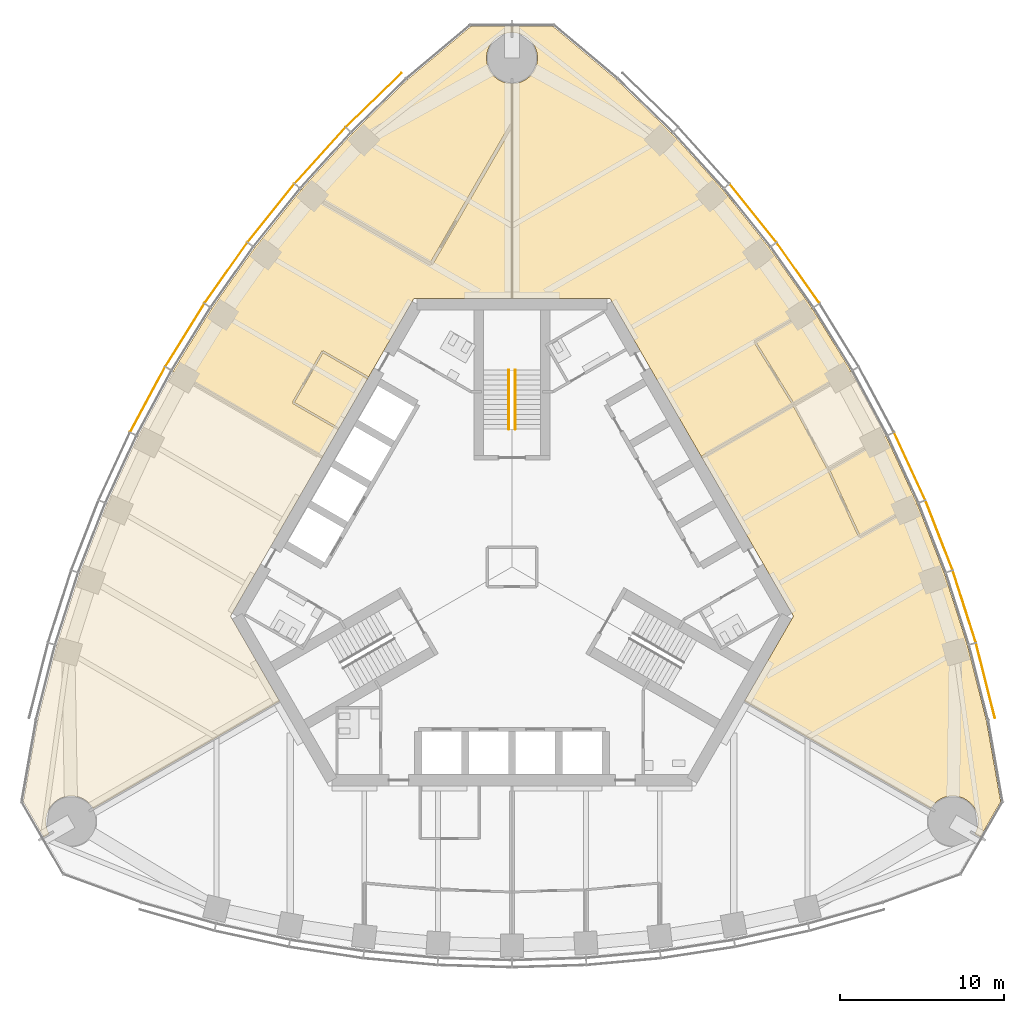
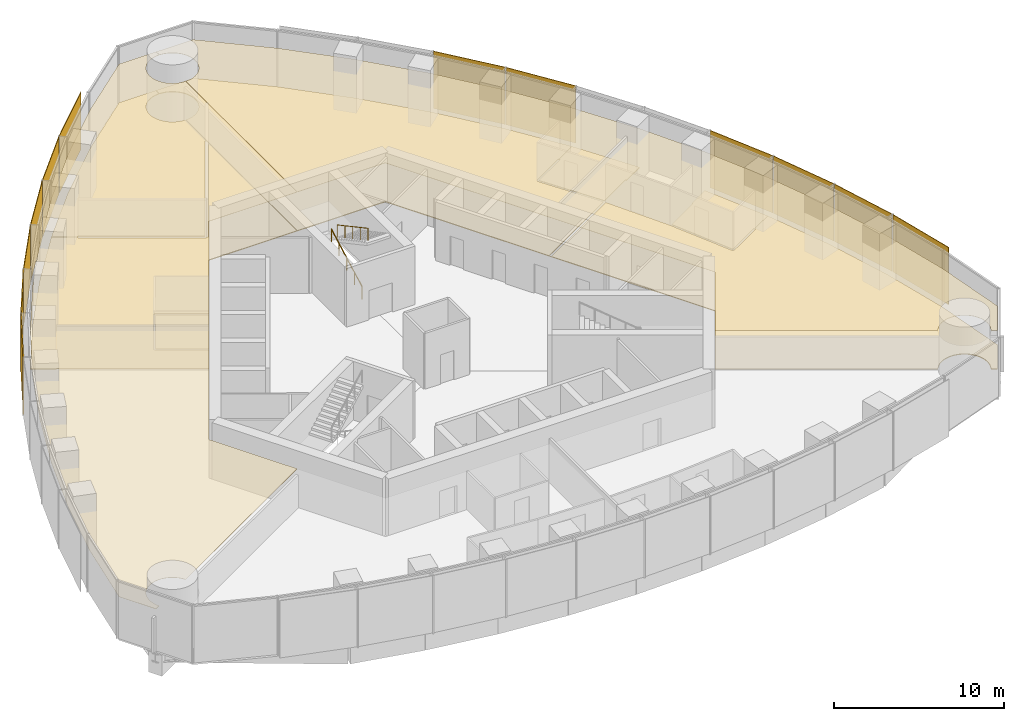
# One storey, part 12 of 15: 12 shading devices, 9 coverings, 2 railings.
"""IFC4 building model written with IfcOpenShell, lengths in metres."""

from ifc_helpers import new_model, si_unit, direction, frame, origin, origin_2d, place, context, subcontext, project, spatial, polyline, rectangle, circle, outline, extrude, material, layer, layer_set, type_object, element, save


model = new_model("IFC4")

# Units and contexts
model_context = context("Model", 3, precision=1e-05, world=origin(), true_north=direction((0.0, 1.0)))
body_context = subcontext(model_context, "Body", "Model", "MODEL_VIEW")
ifc_project = project(units=[si_unit("LENGTHUNIT", "METRE"), si_unit("AREAUNIT", "SQUARE_METRE"), si_unit("VOLUMEUNIT", "CUBIC_METRE"), si_unit("PLANEANGLEUNIT", "RADIAN"), si_unit("MASSUNIT", "GRAM", prefix="KILO")], contexts=[model_context])

# Site, building, storey
site_placement = place(None, origin())
site = spatial("IfcSite", under=ifc_project, at=site_placement, CompositionType="ELEMENT")
building_placement = place(site_placement, origin())
building = spatial("IfcBuilding", under=site, at=building_placement, Name="Trefoil Bronze Tower", CompositionType="ELEMENT")
storey_placement = place(building_placement, frame((0.0, 0.0, 288.89990234375)))
storey = spatial("IfcBuildingStorey", under=building, at=storey_placement, Name="L66", CompositionType="ELEMENT", Elevation=288.89990234375)

# Shading devices
ifc_material_1 = material(Name="Perforated bronze sheet", Category="bronze")
ifc_layer_1 = layer(ifc_material_1, 0.0400390625)
ifc_layer_set_1 = layer_set([ifc_layer_1], Name="Bronze solar screen panel")
shading_device_type = type_object("IfcShadingDeviceType", Name="Bronze solar screen panel", PredefinedType="SHUTTER", material=ifc_layer_set_1)
shading_device_1_placement = place(storey_placement, frame((28.843994140625, -6.927490234375, 0.050048828125), z_axis=(0.0, 0.0, 1.0), x_axis=(-0.244879561333, 0.969553505713, 0.0)))
element("IfcShadingDevice", 1, at=shading_device_1_placement, inside=storey, type_object=shading_device_type, Name="Solar screen CW-A L66 F2 bay 1", PredefinedType="SHUTTER", context=body_context, shape_type="SweptSolid", body=[
    extrude(rectangle(XDim=4.697509765625, YDim=0.0400390625, at=origin_2d()), origin(), (0.0, 0.0, 1.0), 4.10009765625),
])
shading_device_2_placement = place(storey_placement, frame((27.55322265625, -2.410888671875, 0.050048828125), z_axis=(0.0, 0.0, 1.0), x_axis=(-0.305187864214, 0.952292165009, 0.0)))
element("IfcShadingDevice", 2, at=shading_device_2_placement, inside=storey, type_object=shading_device_type, Name="Solar screen CW-A L66 F2 bay 2", PredefinedType="SHUTTER", context=body_context, shape_type="SweptSolid", body=[
    extrude(rectangle(XDim=4.574462890625, YDim=0.0400390625, at=origin_2d()), origin(), (0.0, 0.0, 1.0), 4.10009765625),
])
shading_device_3_placement = place(storey_placement, frame((26.0126953125, 1.93359375, 0.050048828125), z_axis=(0.0, 0.0, 1.0), x_axis=(-0.363198578387, 0.931711754062, 0.0)))
element("IfcShadingDevice", 3, at=shading_device_3_placement, inside=storey, type_object=shading_device_type, Name="Solar screen CW-A L66 F2 bay 3", PredefinedType="SHUTTER", context=body_context, shape_type="SweptSolid", body=[
    extrude(rectangle(XDim=4.5224609375, YDim=0.0400390625, at=origin_2d()), origin(), (0.0, 0.0, 1.0), 4.10009765625),
])
for number, where, z_axis, x_axis, name in (
    (4, (24.2255859375, 6.135986328125, 0.050048828125), (0.0, 0.0, 1.0), (-0.419309148468, 0.907843509649, 0.0), "Solar screen CW-A L66 F2 bay 4"),
    (5, (17.4267578125, 17.912109375, 0.050048828125), (0.0, 0.0, 1.0), (-0.576560967783, 0.817054129437, 0.0), "Solar screen CW-A L66 F2 bay 7"),
):
    element("IfcShadingDevice", number, at=place(storey_placement, frame(where, z_axis=z_axis, x_axis=x_axis)), inside=storey, type_object=shading_device_type, Name=name, PredefinedType="SHUTTER", context=body_context, shape_type="SweptSolid", body=[
        extrude(rectangle(XDim=4.48876953125, YDim=0.0400390625, at=origin_2d()), origin(), (0.0, 0.0, 1.0), 4.10009765625),
    ])
shading_device_4_placement = place(storey_placement, frame((14.680908203125, 21.560791015625, 0.050048828125), z_axis=(0.0, 0.0, 1.0), x_axis=(-0.625286758829, 0.780395072533, 0.0)))
element("IfcShadingDevice", 6, at=shading_device_4_placement, inside=storey, type_object=shading_device_type, Name="Solar screen CW-A L66 F2 bay 8", PredefinedType="SHUTTER", context=body_context, shape_type="SweptSolid", body=[
    extrude(rectangle(XDim=4.5224609375, YDim=0.0400390625, at=origin_2d()), origin(), (0.0, 0.0, 1.0), 4.10009765625),
])
shading_device_5_placement = place(storey_placement, frame((-8.42236328125, 28.443359375, 0.050048828125), z_axis=(0.0, 0.0, 1.0), x_axis=(-0.71721818561, -0.696848673839, 0.0)))
element("IfcShadingDevice", 7, at=shading_device_5_placement, inside=storey, type_object=shading_device_type, Name="Solar screen CW-A L66 F3 bay 1", PredefinedType="SHUTTER", context=body_context, shape_type="SweptSolid", body=[
    extrude(rectangle(XDim=4.697509765625, YDim=0.0400390625, at=origin_2d()), origin(), (0.0, 0.0, 1.0), 4.10009765625),
])
shading_device_6_placement = place(storey_placement, frame((-11.688720703125, 25.067138671875, 0.050048828125), z_axis=(0.0, 0.0, 1.0), x_axis=(-0.672115274615, -0.74044652584, 0.0)))
element("IfcShadingDevice", 8, at=shading_device_6_placement, inside=storey, type_object=shading_device_type, Name="Solar screen CW-A L66 F3 bay 2", PredefinedType="SHUTTER", context=body_context, shape_type="SweptSolid", body=[
    extrude(rectangle(XDim=4.574462890625, YDim=0.0400390625, at=origin_2d()), origin(), (0.0, 0.0, 1.0), 4.10009765625),
])
shading_device_7_placement = place(storey_placement, frame((-14.680908203125, 21.560791015625, 0.050048828125), z_axis=(0.0, 0.0, 1.0), x_axis=(-0.625286758829, -0.780395072533, 0.0)))
element("IfcShadingDevice", 9, at=shading_device_7_placement, inside=storey, type_object=shading_device_type, Name="Solar screen CW-A L66 F3 bay 3", PredefinedType="SHUTTER", context=body_context, shape_type="SweptSolid", body=[
    extrude(rectangle(XDim=4.5224609375, YDim=0.0400390625, at=origin_2d()), origin(), (0.0, 0.0, 1.0), 4.10009765625),
])
shading_device_8_placement = place(storey_placement, frame((-17.4267578125, 17.912109375, 0.050048828125), z_axis=(0.0, 0.0, 1.0), x_axis=(-0.576560967783, -0.817054129437, 0.0)))
element("IfcShadingDevice", 10, at=shading_device_8_placement, inside=storey, type_object=shading_device_type, Name="Solar screen CW-A L66 F3 bay 4", PredefinedType="SHUTTER", context=body_context, shape_type="SweptSolid", body=[
    extrude(rectangle(XDim=4.48876953125, YDim=0.0400390625, at=origin_2d()), origin(), (0.0, 0.0, 1.0), 4.10009765625),
])
for number, where, z_axis, x_axis, name in (
    (11, (-19.931396484375, 14.124267578125, 0.050048828125), (0.0, 0.0, 1.0), (-0.525979532701, -0.850497225851, 0.0), "Solar screen CW-A L66 F3 bay 5"),
    (12, (-22.19775390625, 10.198974609375, 0.050048828125), (0.0, 0.0, 1.0), (-0.473562437085, -0.880760250115, 0.0), "Solar screen CW-A L66 F3 bay 6"),
):
    element("IfcShadingDevice", number, at=place(storey_placement, frame(where, z_axis=z_axis, x_axis=x_axis)), inside=storey, type_object=shading_device_type, Name=name, PredefinedType="SHUTTER", context=body_context, shape_type="SweptSolid", body=[
        extrude(rectangle(XDim=4.47216796875, YDim=0.0400390625, at=origin_2d()), origin(), (0.0, 0.0, 1.0), 4.10009765625),
    ])

# Railings
ifc_material_2 = material(Name="Steel handrail", Category="steel")
railing_type = type_object("IfcRailingType", Name="Handrail 900", PredefinedType="HANDRAIL", material=ifc_material_2)
railing_1_placement = place(storey_placement, frame((-0.199951171875, 8.389892578125, 0.16162109375)))
element("IfcRailing", 13, at=railing_1_placement, inside=storey, type_object=railing_type, Name="Handrail ST2 flight 1 L66", PredefinedType="HANDRAIL", context=body_context, shape_type="SweptSolid", body=[
    extrude(circle(Radius=0.02392578125, at=origin_2d()), frame((0.0, 0.0, 0.8759765625), z_axis=(0.0, 0.880474934443, 0.474092701714), x_axis=(-1.0, 0.0, 0.0)), (0.0, 0.0, 1.0), 4.0888671875),
    extrude(circle(Radius=0.02099609375, at=origin_2d()), origin(), (0.0, 0.0, 1.0), 0.851806640625),
    extrude(circle(Radius=0.02099609375, at=origin_2d()), frame((0.0, 0.89990234375, 0.484619140625)), (0.0, 0.0, 1.0), 0.851806640625),
    extrude(circle(Radius=0.02099609375, at=origin_2d()), frame((0.0, 1.800048828125, 0.96923828125)), (0.0, 0.0, 1.0), 0.851806640625),
    extrude(circle(Radius=0.02099609375, at=origin_2d()), frame((0.0, 2.7001953125, 1.453857421875)), (0.0, 0.0, 1.0), 0.851806640625),
    extrude(circle(Radius=0.02099609375, at=origin_2d()), frame((0.0, 3.60009765625, 1.9384765625)), (0.0, 0.0, 1.0), 0.851806640625),
])
railing_2_placement = place(storey_placement, frame((0.199951171875, 11.989990234375, 2.26171875)))
element("IfcRailing", 14, at=railing_2_placement, inside=storey, type_object=railing_type, Name="Handrail ST2 flight 2 L66", PredefinedType="HANDRAIL", context=body_context, shape_type="SweptSolid", body=[
    extrude(circle(Radius=0.02392578125, at=origin_2d()), frame((0.0, 0.0, 0.8759765625), z_axis=(0.0, -0.880474934443, 0.474092701714), x_axis=(1.0, 0.0, 0.0)), (0.0, 0.0, 1.0), 4.0888671875),
    extrude(circle(Radius=0.02099609375, at=origin_2d()), origin(), (0.0, 0.0, 1.0), 0.851806640625),
    extrude(circle(Radius=0.02099609375, at=origin_2d()), frame((0.0, -0.89990234375, 0.484619140625)), (0.0, 0.0, 1.0), 0.851806640625),
    extrude(circle(Radius=0.02099609375, at=origin_2d()), frame((0.0, -1.800048828125, 0.96923828125)), (0.0, 0.0, 1.0), 0.851806640625),
    extrude(circle(Radius=0.02099609375, at=origin_2d()), frame((0.0, -2.7001953125, 1.453857421875)), (0.0, 0.0, 1.0), 0.851806640625),
    extrude(circle(Radius=0.02099609375, at=origin_2d()), frame((0.0, -3.60009765625, 1.9384765625)), (0.0, 0.0, 1.0), 0.851806640625),
])

# Coverings
ifc_material_3 = material(Name="Acoustic ceiling panels", Category="mineral fibre")
ifc_layer_2 = layer(ifc_material_3, 0.02001953125)
ifc_layer_set_2 = layer_set([ifc_layer_2], Name="Office ceiling 20")
covering_type_1 = type_object("IfcCoveringType", Name="Office ceiling 20", PredefinedType="CEILING", material=ifc_layer_set_2)
covering_1_placement = place(storey_placement, frame((0.0, 0.0, 2.900146484375)))
element("IfcCovering", 15, at=covering_1_placement, inside=storey, type_object=covering_type_1, Name="Ceiling L66 Open-plan office F2", PredefinedType="CEILING", context=body_context, shape_type="SweptSolid", body=[
    extrude(outline(polyline([(9.741455078125, 26.408935546875), (12.836181640625, 22.99951171875), (15.682861328125, 19.44677734375), (18.2880859375, 15.7548828125), (20.656005859375, 11.92578125), (22.7880859375, 7.960693359375), (24.682861328125, 3.8583984375), (26.336181640625, -0.38330078125), (27.741455078125, -4.76806640625), (28.899169921875, -9.3515625), (29.770263671875, -14.291748046875), (28.522216796875, -16.453125), (28.19482421875, -16.26416015625), (28.2138671875, -16.230712890625), (28.248046875, -16.16259765625), (28.27880859375, -16.09326171875), (28.30615234375, -16.022216796875), (28.330078125, -15.949951171875), (28.350341796875, -15.876708984375), (28.366943359375, -15.802490234375), (28.3798828125, -15.727294921875), (28.389404296875, -15.65185546875), (28.39501953125, -15.576171875), (28.396728515625, -15.5), (28.39501953125, -15.423828125), (28.389404296875, -15.34814453125), (28.3798828125, -15.272705078125), (28.366943359375, -15.197509765625), (28.350341796875, -15.123291015625), (28.330078125, -15.050048828125), (28.30615234375, -14.977783203125), (28.27880859375, -14.90673828125), (28.248046875, -14.83740234375), (28.2138671875, -14.769287109375), (28.17626953125, -14.703125), (28.135498046875, -14.638916015625), (28.091796875, -14.57666015625), (28.044921875, -14.5166015625), (27.995361328125, -14.458984375), (27.94287109375, -14.404052734375), (27.8876953125, -14.3515625), (27.830078125, -14.3017578125), (27.77001953125, -14.2548828125), (27.7080078125, -14.211181640625), (27.6435546875, -14.17041015625), (27.577392578125, -14.133056640625), (27.509521484375, -14.098876953125), (27.43994140625, -14.068115234375), (27.368896484375, -14.04052734375), (27.296630859375, -14.0166015625), (27.223388671875, -13.99658203125), (27.149169921875, -13.979736328125), (27.07421875, -13.966796875), (26.998779296875, -13.95751953125), (26.9228515625, -13.951904296875), (26.8466796875, -13.949951171875), (26.770751953125, -13.951904296875), (26.69482421875, -13.95751953125), (26.619384765625, -13.966796875), (26.54443359375, -13.979736328125), (26.47021484375, -13.99658203125), (26.396728515625, -14.0166015625), (26.32470703125, -14.04052734375), (26.253662109375, -14.068115234375), (26.18408203125, -14.098876953125), (26.1162109375, -14.133056640625), (26.0498046875, -14.17041015625), (25.985595703125, -14.211181640625), (25.923583984375, -14.2548828125), (25.863525390625, -14.3017578125), (25.805908203125, -14.3515625), (25.750732421875, -14.404052734375), (25.6982421875, -14.458984375), (25.648681640625, -14.5166015625), (25.601806640625, -14.57666015625), (25.55810546875, -14.638916015625), (25.51025390625, -14.715576171875), (14.16259765625, -8.169677734375), (17.147216796875, -3.0), (5.9755859375, 16.35009765625), (0.006103515625, 16.35009765625), (0.010986328125, 29.4501953125), (0.076171875, 29.451904296875), (0.15185546875, 29.45751953125), (0.227294921875, 29.466796875), (0.302490234375, 29.479736328125), (0.376708984375, 29.49658203125), (0.449951171875, 29.5166015625), (0.522216796875, 29.54052734375), (0.59326171875, 29.568115234375), (0.66259765625, 29.598876953125), (0.730712890625, 29.633056640625), (0.796875, 29.67041015625), (0.861083984375, 29.711181640625), (0.92333984375, 29.7548828125), (0.9833984375, 29.8017578125), (1.041015625, 29.8515625), (1.095947265625, 29.904052734375), (1.1484375, 29.958984375), (1.1982421875, 30.0166015625), (1.2451171875, 30.07666015625), (1.288818359375, 30.138916015625), (1.32958984375, 30.203125), (1.366943359375, 30.269287109375), (1.401123046875, 30.33740234375), (1.431884765625, 30.40673828125), (1.45947265625, 30.477783203125), (1.4833984375, 30.550048828125), (1.50341796875, 30.623291015625), (1.520263671875, 30.697509765625), (1.533203125, 30.772705078125), (1.54248046875, 30.84814453125), (1.548095703125, 30.923828125), (1.550048828125, 31.0), (1.548095703125, 31.076171875), (1.54248046875, 31.15185546875), (1.533203125, 31.227294921875), (1.520263671875, 31.302490234375), (1.50341796875, 31.376708984375), (1.4833984375, 31.449951171875), (1.45947265625, 31.522216796875), (1.431884765625, 31.59326171875), (1.401123046875, 31.66259765625), (1.366943359375, 31.730712890625), (1.32958984375, 31.796875), (1.288818359375, 31.861083984375), (1.2451171875, 31.92333984375), (1.1982421875, 31.9833984375), (1.1484375, 32.041015625), (1.095947265625, 32.095947265625), (1.041015625, 32.1484375), (0.9833984375, 32.1982421875), (0.92333984375, 32.2451171875), (0.861083984375, 32.288818359375), (0.796875, 32.32958984375), (0.730712890625, 32.366943359375), (0.66259765625, 32.401123046875), (0.59326171875, 32.431884765625), (0.522216796875, 32.45947265625), (0.449951171875, 32.4833984375), (0.376708984375, 32.50341796875), (0.302490234375, 32.520263671875), (0.227294921875, 32.533203125), (0.15185546875, 32.54248046875), (0.076171875, 32.548095703125), (0.01220703125, 32.5498046875), (0.01220703125, 32.927490234375), (2.508056640625, 32.927490234375), (6.350830078125, 29.703125), (9.741455078125, 26.408935546875)])), origin(), (0.0, 0.0, 1.0), 0.02001953125),
])
covering_2_placement = place(storey_placement, frame((0.0, 0.0, 2.900146484375)))
element("IfcCovering", 16, at=covering_2_placement, inside=storey, type_object=covering_type_1, Name="Ceiling L66 Open-plan office F3", PredefinedType="CEILING", context=body_context, shape_type="SweptSolid", body=[
    extrude(outline(polyline([(-27.741455078125, -4.76806640625), (-26.336181640625, -0.38330078125), (-24.682861328125, 3.8583984375), (-22.7880859375, 7.960693359375), (-20.656005859375, 11.92578125), (-18.2880859375, 15.7548828125), (-15.682861328125, 19.44677734375), (-12.836181640625, 22.99951171875), (-9.741455078125, 26.408935546875), (-6.350830078125, 29.703125), (-2.508056640625, 32.927490234375), (-0.01220703125, 32.927490234375), (-0.01220703125, 32.5498046875), (-0.076171875, 32.548095703125), (-0.15185546875, 32.54248046875), (-0.227294921875, 32.533203125), (-0.302490234375, 32.520263671875), (-0.376708984375, 32.50341796875), (-0.449951171875, 32.4833984375), (-0.522216796875, 32.45947265625), (-0.59326171875, 32.431884765625), (-0.66259765625, 32.401123046875), (-0.730712890625, 32.366943359375), (-0.796875, 32.32958984375), (-0.861083984375, 32.288818359375), (-0.92333984375, 32.2451171875), (-0.9833984375, 32.1982421875), (-1.041015625, 32.1484375), (-1.095947265625, 32.095947265625), (-1.1484375, 32.041015625), (-1.1982421875, 31.9833984375), (-1.2451171875, 31.92333984375), (-1.288818359375, 31.861083984375), (-1.32958984375, 31.796875), (-1.366943359375, 31.730712890625), (-1.401123046875, 31.66259765625), (-1.431884765625, 31.59326171875), (-1.45947265625, 31.522216796875), (-1.4833984375, 31.449951171875), (-1.50341796875, 31.376708984375), (-1.520263671875, 31.302490234375), (-1.533203125, 31.227294921875), (-1.54248046875, 31.15185546875), (-1.548095703125, 31.076171875), (-1.550048828125, 31.0), (-1.548095703125, 30.923828125), (-1.54248046875, 30.84814453125), (-1.533203125, 30.772705078125), (-1.520263671875, 30.697509765625), (-1.50341796875, 30.623291015625), (-1.4833984375, 30.550048828125), (-1.45947265625, 30.477783203125), (-1.431884765625, 30.40673828125), (-1.401123046875, 30.33740234375), (-1.366943359375, 30.269287109375), (-1.32958984375, 30.203125), (-1.288818359375, 30.138916015625), (-1.2451171875, 30.07666015625), (-1.1982421875, 30.0166015625), (-1.1484375, 29.958984375), (-1.095947265625, 29.904052734375), (-1.041015625, 29.8515625), (-0.9833984375, 29.8017578125), (-0.92333984375, 29.7548828125), (-0.861083984375, 29.711181640625), (-0.796875, 29.67041015625), (-0.730712890625, 29.633056640625), (-0.66259765625, 29.598876953125), (-0.59326171875, 29.568115234375), (-0.522216796875, 29.54052734375), (-0.449951171875, 29.5166015625), (-0.376708984375, 29.49658203125), (-0.302490234375, 29.479736328125), (-0.227294921875, 29.466796875), (-0.15185546875, 29.45751953125), (-0.076171875, 29.451904296875), (-0.010986328125, 29.4501953125), (-0.006103515625, 16.35009765625), (-5.9755859375, 16.35009765625), (-17.147216796875, -3.0), (-14.16259765625, -8.169677734375), (-25.51025390625, -14.715576171875), (-25.55810546875, -14.638916015625), (-25.601806640625, -14.57666015625), (-25.648681640625, -14.5166015625), (-25.6982421875, -14.458984375), (-25.750732421875, -14.404052734375), (-25.805908203125, -14.3515625), (-25.863525390625, -14.3017578125), (-25.923583984375, -14.2548828125), (-25.985595703125, -14.211181640625), (-26.0498046875, -14.17041015625), (-26.1162109375, -14.133056640625), (-26.18408203125, -14.098876953125), (-26.253662109375, -14.068115234375), (-26.32470703125, -14.04052734375), (-26.396728515625, -14.0166015625), (-26.47021484375, -13.99658203125), (-26.54443359375, -13.979736328125), (-26.619384765625, -13.966796875), (-26.69482421875, -13.95751953125), (-26.770751953125, -13.951904296875), (-26.8466796875, -13.949951171875), (-26.9228515625, -13.951904296875), (-26.998779296875, -13.95751953125), (-27.07421875, -13.966796875), (-27.149169921875, -13.979736328125), (-27.223388671875, -13.99658203125), (-27.296630859375, -14.0166015625), (-27.368896484375, -14.04052734375), (-27.43994140625, -14.068115234375), (-27.509521484375, -14.098876953125), (-27.577392578125, -14.133056640625), (-27.6435546875, -14.17041015625), (-27.7080078125, -14.211181640625), (-27.77001953125, -14.2548828125), (-27.830078125, -14.3017578125), (-27.8876953125, -14.3515625), (-27.94287109375, -14.404052734375), (-27.995361328125, -14.458984375), (-28.044921875, -14.5166015625), (-28.091796875, -14.57666015625), (-28.135498046875, -14.638916015625), (-28.17626953125, -14.703125), (-28.2138671875, -14.769287109375), (-28.248046875, -14.83740234375), (-28.27880859375, -14.90673828125), (-28.30615234375, -14.977783203125), (-28.330078125, -15.050048828125), (-28.350341796875, -15.123291015625), (-28.366943359375, -15.197509765625), (-28.3798828125, -15.272705078125), (-28.389404296875, -15.34814453125), (-28.39501953125, -15.423828125), (-28.396728515625, -15.5), (-28.39501953125, -15.576171875), (-28.389404296875, -15.65185546875), (-28.3798828125, -15.727294921875), (-28.366943359375, -15.802490234375), (-28.350341796875, -15.876708984375), (-28.330078125, -15.949951171875), (-28.30615234375, -16.022216796875), (-28.27880859375, -16.09326171875), (-28.248046875, -16.16259765625), (-28.2138671875, -16.230712890625), (-28.19482421875, -16.26416015625), (-28.522216796875, -16.453125), (-29.770263671875, -14.291748046875), (-28.899169921875, -9.3515625), (-27.741455078125, -4.76806640625)])), origin(), (0.0, 0.0, 1.0), 0.02001953125),
])
ifc_material_4 = material(Name="Raised access floor panels", Category="steel")
ifc_layer_3 = layer(ifc_material_4, 0.050048828125)
ifc_layer_set_3 = layer_set([ifc_layer_3], Name="Raised access floor 150")
covering_type_2 = type_object("IfcCoveringType", Name="Raised access floor 150", PredefinedType="FLOORING", material=ifc_layer_set_3)
covering_3_placement = place(storey_placement, frame((0.0, 0.0, 0.10009765625)))
element("IfcCovering", 17, at=covering_3_placement, inside=storey, type_object=covering_type_2, Name="Raised floor L66 Office F2", PredefinedType="FLOORING", context=body_context, shape_type="SweptSolid", body=[
    extrude(outline(polyline([(18.2880859375, 15.7548828125), (20.656005859375, 11.92578125), (19.3310546875, 11.160888671875), (19.293701171875, 11.225830078125), (17.1611328125, 9.99462890625), (14.8642578125, 13.708740234375), (16.99072265625, 14.936279296875), (16.960693359375, 14.98828125), (18.2880859375, 15.7548828125)])), origin(), (0.0, 0.0, 1.0), 0.050048828125),
])
covering_4_placement = place(storey_placement, frame((0.0, 0.0, 0.10009765625)))
element("IfcCovering", 18, at=covering_4_placement, inside=storey, type_object=covering_type_2, Name="Raised floor L66 Meeting room F2", PredefinedType="FLOORING", context=body_context, shape_type="SweptSolid", body=[
    extrude(outline(polyline([(22.7880859375, 7.960693359375), (24.682861328125, 3.8583984375), (23.347900390625, 3.087646484375), (23.318115234375, 3.1396484375), (21.202392578125, 1.918212890625), (19.358154296875, 5.910888671875), (21.49072265625, 7.14208984375), (21.460693359375, 7.194091796875), (22.7880859375, 7.960693359375)])), origin(), (0.0, 0.0, 1.0), 0.050048828125),
])
covering_5_placement = place(storey_placement, frame((0.0, 0.0, 0.10009765625)))
element("IfcCovering", 19, at=covering_5_placement, inside=storey, type_object=covering_type_2, Name="Raised floor L66 Open-plan office F2", PredefinedType="FLOORING", context=body_context, shape_type="SweptSolid", body=[
    extrude(outline(polyline([(16.960693359375, 14.98828125), (16.9306640625, 15.040283203125), (14.750732421875, 13.78173828125), (14.78076171875, 13.729736328125), (14.729736328125, 13.6982421875), (17.05712890625, 9.9345703125), (11.53271484375, 6.7451171875), (11.569580078125, 6.680908203125), (11.560791015625, 6.67578125), (5.9755859375, 16.35009765625), (0.006103515625, 16.35009765625), (0.010986328125, 29.4501953125), (0.076171875, 29.451904296875), (0.15185546875, 29.45751953125), (0.227294921875, 29.466796875), (0.302490234375, 29.479736328125), (0.376708984375, 29.49658203125), (0.449951171875, 29.5166015625), (0.522216796875, 29.54052734375), (0.59326171875, 29.568115234375), (0.66259765625, 29.598876953125), (0.730712890625, 29.633056640625), (0.796875, 29.67041015625), (0.861083984375, 29.711181640625), (0.92333984375, 29.7548828125), (0.9833984375, 29.8017578125), (1.041015625, 29.8515625), (1.095947265625, 29.904052734375), (1.1484375, 29.958984375), (1.1982421875, 30.0166015625), (1.2451171875, 30.07666015625), (1.288818359375, 30.138916015625), (1.32958984375, 30.203125), (1.366943359375, 30.269287109375), (1.401123046875, 30.33740234375), (1.431884765625, 30.40673828125), (1.45947265625, 30.477783203125), (1.4833984375, 30.550048828125), (1.50341796875, 30.623291015625), (1.520263671875, 30.697509765625), (1.533203125, 30.772705078125), (1.54248046875, 30.84814453125), (1.548095703125, 30.923828125), (1.550048828125, 31.0), (1.548095703125, 31.076171875), (1.54248046875, 31.15185546875), (1.533203125, 31.227294921875), (1.520263671875, 31.302490234375), (1.50341796875, 31.376708984375), (1.4833984375, 31.449951171875), (1.45947265625, 31.522216796875), (1.431884765625, 31.59326171875), (1.401123046875, 31.66259765625), (1.366943359375, 31.730712890625), (1.32958984375, 31.796875), (1.288818359375, 31.861083984375), (1.2451171875, 31.92333984375), (1.1982421875, 31.9833984375), (1.1484375, 32.041015625), (1.095947265625, 32.095947265625), (1.041015625, 32.1484375), (0.9833984375, 32.1982421875), (0.92333984375, 32.2451171875), (0.861083984375, 32.288818359375), (0.796875, 32.32958984375), (0.730712890625, 32.366943359375), (0.66259765625, 32.401123046875), (0.59326171875, 32.431884765625), (0.522216796875, 32.45947265625), (0.449951171875, 32.4833984375), (0.376708984375, 32.50341796875), (0.302490234375, 32.520263671875), (0.227294921875, 32.533203125), (0.15185546875, 32.54248046875), (0.076171875, 32.548095703125), (0.01220703125, 32.5498046875), (0.01220703125, 32.927490234375), (2.508056640625, 32.927490234375), (6.350830078125, 29.703125), (9.741455078125, 26.408935546875), (12.836181640625, 22.99951171875), (15.682861328125, 19.44677734375), (18.2880859375, 15.7548828125), (16.960693359375, 14.98828125)])), origin(), (0.0, 0.0, 1.0), 0.050048828125),
])
covering_6_placement = place(storey_placement, frame((0.0, 0.0, 0.10009765625)))
element("IfcCovering", 20, at=covering_6_placement, inside=storey, type_object=covering_type_2, Name="Raised floor L66 Open-plan office F2", PredefinedType="FLOORING", context=body_context, shape_type="SweptSolid", body=[
    extrude(outline(polyline([(26.336181640625, -0.38330078125), (27.741455078125, -4.76806640625), (28.899169921875, -9.3515625), (29.770263671875, -14.291748046875), (28.522216796875, -16.453125), (28.19482421875, -16.26416015625), (28.2138671875, -16.230712890625), (28.248046875, -16.16259765625), (28.27880859375, -16.09326171875), (28.30615234375, -16.022216796875), (28.330078125, -15.949951171875), (28.350341796875, -15.876708984375), (28.366943359375, -15.802490234375), (28.3798828125, -15.727294921875), (28.389404296875, -15.65185546875), (28.39501953125, -15.576171875), (28.396728515625, -15.5), (28.39501953125, -15.423828125), (28.389404296875, -15.34814453125), (28.3798828125, -15.272705078125), (28.366943359375, -15.197509765625), (28.350341796875, -15.123291015625), (28.330078125, -15.050048828125), (28.30615234375, -14.977783203125), (28.27880859375, -14.90673828125), (28.248046875, -14.83740234375), (28.2138671875, -14.769287109375), (28.17626953125, -14.703125), (28.135498046875, -14.638916015625), (28.091796875, -14.57666015625), (28.044921875, -14.5166015625), (27.995361328125, -14.458984375), (27.94287109375, -14.404052734375), (27.8876953125, -14.3515625), (27.830078125, -14.3017578125), (27.77001953125, -14.2548828125), (27.7080078125, -14.211181640625), (27.6435546875, -14.17041015625), (27.577392578125, -14.133056640625), (27.509521484375, -14.098876953125), (27.43994140625, -14.068115234375), (27.368896484375, -14.04052734375), (27.296630859375, -14.0166015625), (27.223388671875, -13.99658203125), (27.149169921875, -13.979736328125), (27.07421875, -13.966796875), (26.998779296875, -13.95751953125), (26.9228515625, -13.951904296875), (26.8466796875, -13.949951171875), (26.770751953125, -13.951904296875), (26.69482421875, -13.95751953125), (26.619384765625, -13.966796875), (26.54443359375, -13.979736328125), (26.47021484375, -13.99658203125), (26.396728515625, -14.0166015625), (26.32470703125, -14.04052734375), (26.253662109375, -14.068115234375), (26.18408203125, -14.098876953125), (26.1162109375, -14.133056640625), (26.0498046875, -14.17041015625), (25.985595703125, -14.211181640625), (25.923583984375, -14.2548828125), (25.863525390625, -14.3017578125), (25.805908203125, -14.3515625), (25.750732421875, -14.404052734375), (25.6982421875, -14.458984375), (25.648681640625, -14.5166015625), (25.601806640625, -14.57666015625), (25.55810546875, -14.638916015625), (25.51025390625, -14.715576171875), (14.16259765625, -8.169677734375), (17.147216796875, -3.0), (11.56201171875, 6.674072265625), (11.570556640625, 6.67919921875), (11.607666015625, 6.614990234375), (17.132080078125, 9.8046875), (19.22705078125, 5.90869140625), (21.120849609375, 1.80810546875), (21.17529296875, 1.833251953125), (21.205322265625, 1.781494140625), (23.3779296875, 3.03564453125), (23.347900390625, 3.087646484375), (24.682861328125, 3.8583984375), (26.336181640625, -0.38330078125)])), origin(), (0.0, 0.0, 1.0), 0.050048828125),
])
covering_7_placement = place(storey_placement, frame((0.0, 0.0, 0.10009765625)))
element("IfcCovering", 21, at=covering_7_placement, inside=storey, type_object=covering_type_2, Name="Raised floor L66 Boardroom F3", PredefinedType="FLOORING", context=body_context, shape_type="SweptSolid", body=[
    extrude(outline(polyline([(-0.010986328125, 29.4501953125), (-0.010009765625, 26.96240234375), (-0.0966796875, 27.012451171875), (-4.96923828125, 18.572998046875), (-11.43896484375, 22.30810546875), (-11.489013671875, 22.2216796875), (-12.836181640625, 22.99951171875), (-9.741455078125, 26.408935546875), (-6.350830078125, 29.703125), (-2.508056640625, 32.927490234375), (-0.01220703125, 32.927490234375), (-0.01220703125, 32.5498046875), (-0.076171875, 32.548095703125), (-0.15185546875, 32.54248046875), (-0.227294921875, 32.533203125), (-0.302490234375, 32.520263671875), (-0.376708984375, 32.50341796875), (-0.449951171875, 32.4833984375), (-0.522216796875, 32.45947265625), (-0.59326171875, 32.431884765625), (-0.66259765625, 32.401123046875), (-0.730712890625, 32.366943359375), (-0.796875, 32.32958984375), (-0.861083984375, 32.288818359375), (-0.92333984375, 32.2451171875), (-0.9833984375, 32.1982421875), (-1.041015625, 32.1484375), (-1.095947265625, 32.095947265625), (-1.1484375, 32.041015625), (-1.1982421875, 31.9833984375), (-1.2451171875, 31.92333984375), (-1.288818359375, 31.861083984375), (-1.32958984375, 31.796875), (-1.366943359375, 31.730712890625), (-1.401123046875, 31.66259765625), (-1.431884765625, 31.59326171875), (-1.45947265625, 31.522216796875), (-1.4833984375, 31.449951171875), (-1.50341796875, 31.376708984375), (-1.520263671875, 31.302490234375), (-1.533203125, 31.227294921875), (-1.54248046875, 31.15185546875), (-1.548095703125, 31.076171875), (-1.550048828125, 31.0), (-1.548095703125, 30.923828125), (-1.54248046875, 30.84814453125), (-1.533203125, 30.772705078125), (-1.520263671875, 30.697509765625), (-1.50341796875, 30.623291015625), (-1.4833984375, 30.550048828125), (-1.45947265625, 30.477783203125), (-1.431884765625, 30.40673828125), (-1.401123046875, 30.33740234375), (-1.366943359375, 30.269287109375), (-1.32958984375, 30.203125), (-1.288818359375, 30.138916015625), (-1.2451171875, 30.07666015625), (-1.1982421875, 30.0166015625), (-1.1484375, 29.958984375), (-1.095947265625, 29.904052734375), (-1.041015625, 29.8515625), (-0.9833984375, 29.8017578125), (-0.92333984375, 29.7548828125), (-0.861083984375, 29.711181640625), (-0.796875, 29.67041015625), (-0.730712890625, 29.633056640625), (-0.66259765625, 29.598876953125), (-0.59326171875, 29.568115234375), (-0.522216796875, 29.54052734375), (-0.449951171875, 29.5166015625), (-0.376708984375, 29.49658203125), (-0.302490234375, 29.479736328125), (-0.227294921875, 29.466796875), (-0.15185546875, 29.45751953125), (-0.076171875, 29.451904296875), (-0.010986328125, 29.4501953125)])), origin(), (0.0, 0.0, 1.0), 0.050048828125),
])
covering_8_placement = place(storey_placement, frame((0.0, 0.0, 0.10009765625)))
element("IfcCovering", 22, at=covering_8_placement, inside=storey, type_object=covering_type_2, Name="Raised floor L66 Meeting room F3", PredefinedType="FLOORING", context=body_context, shape_type="SweptSolid", body=[
    extrude(outline(polyline([(-10.531494140625, 8.458984375), (-13.250732421875, 10.029052734375), (-11.5107421875, 13.042724609375), (-8.79150390625, 11.472900390625), (-10.531494140625, 8.458984375)])), origin(), (0.0, 0.0, 1.0), 0.050048828125),
])
covering_9_placement = place(storey_placement, frame((0.0, 0.0, 0.10009765625)))
element("IfcCovering", 23, at=covering_9_placement, inside=storey, type_object=covering_type_2, Name="Raised floor L66 Open-plan office F3", PredefinedType="FLOORING", context=body_context, shape_type="SweptSolid", body=[
    extrude(outline(polyline([(-20.655517578125, 11.926513671875), (-18.2880859375, 15.7548828125), (-15.682861328125, 19.44677734375), (-12.836181640625, 22.99951171875), (-11.489013671875, 22.2216796875), (-11.5390625, 22.135009765625), (-4.982666015625, 18.349609375), (-4.9326171875, 18.436279296875), (-4.84619140625, 18.38623046875), (-0.010009765625, 26.7626953125), (-0.006103515625, 16.35009765625), (-5.9755859375, 16.35009765625), (-8.7314453125, 11.57666015625), (-11.502685546875, 13.1767578125), (-11.53271484375, 13.124755859375), (-11.584716796875, 13.15478515625), (-13.384765625, 10.037109375), (-13.332763671875, 10.007080078125), (-13.36279296875, 9.955078125), (-10.59130859375, 8.35498046875), (-11.560791015625, 6.67578125), (-11.569580078125, 6.680908203125), (-11.53271484375, 6.7451171875), (-19.293701171875, 11.225830078125), (-19.33056640625, 11.16162109375), (-20.655517578125, 11.926513671875)])), origin(), (0.0, 0.0, 1.0), 0.050048828125),
])

save(model, "model.ifc")
